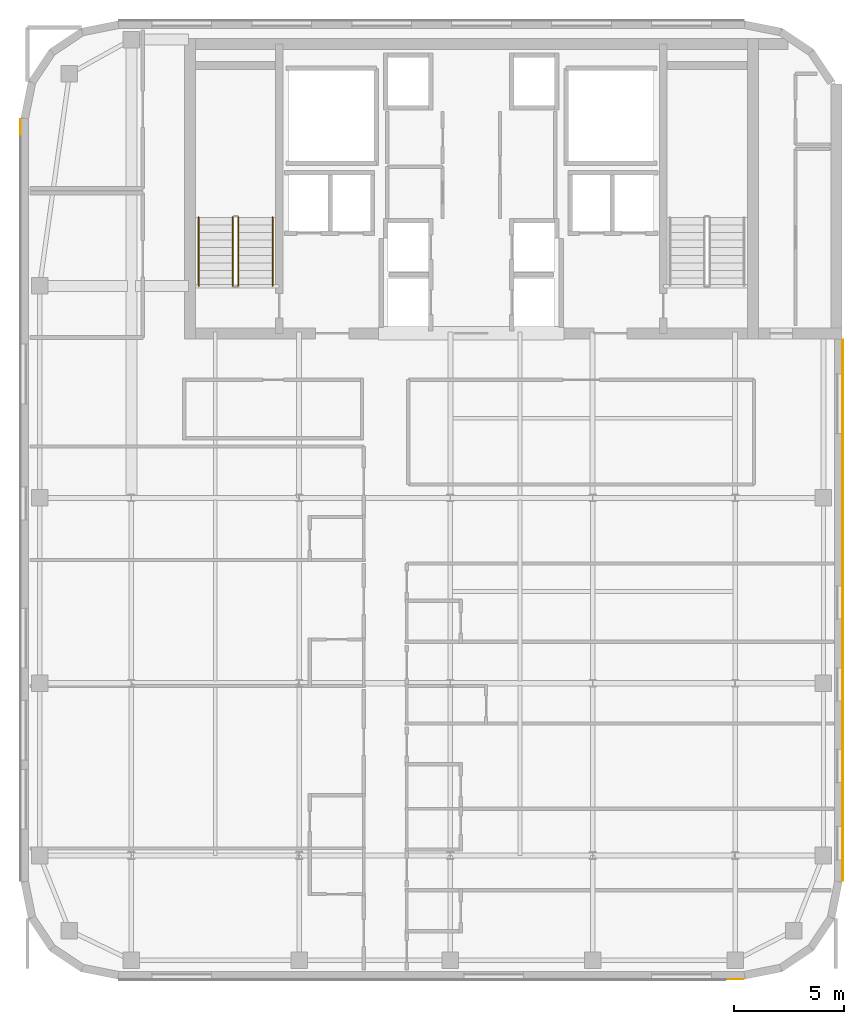
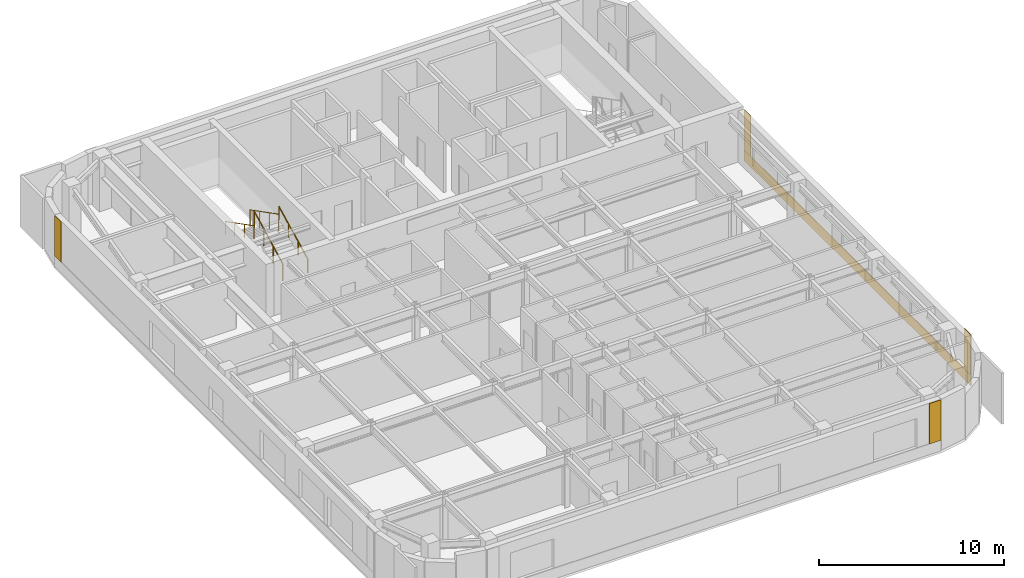
# One storey, part 11 of 12: 5 coverings, 4 railings.
"""IFC4 building model written with IfcOpenShell, lengths in metres."""

from ifc_helpers import new_model, si_unit, direction, frame, origin, origin_2d, place, context, subcontext, project, spatial, polyline, circle, outline, extrude, material, layer, layer_set, type_object, element, save


model = new_model("IFC4")

# Units and contexts
model_context = context("Model", 3, precision=1e-05, world=origin(), true_north=direction((0.0, 1.0)))
body_context = subcontext(model_context, "Body", "Model", "MODEL_VIEW")
ifc_project = project(units=[si_unit("LENGTHUNIT", "METRE"), si_unit("AREAUNIT", "SQUARE_METRE"), si_unit("VOLUMEUNIT", "CUBIC_METRE"), si_unit("PLANEANGLEUNIT", "RADIAN"), si_unit("MASSUNIT", "GRAM", prefix="KILO")], contexts=[model_context])

# Site, building, storey
site_placement = place(None, origin())
site = spatial("IfcSite", under=ifc_project, at=site_placement, CompositionType="ELEMENT")
building_placement = place(site_placement, origin())
building = spatial("IfcBuilding", under=site, at=building_placement, Name="Tolvann Quenvar Hotel", CompositionType="ELEMENT")
storey_placement = place(building_placement, frame((0.0, 0.0, 213.25)))
storey = spatial("IfcBuildingStorey", under=building, at=storey_placement, Name="L56", CompositionType="ELEMENT", Elevation=213.25)

# Coverings
ifc_material_1 = material(Name="Kiln-fired red architectural face brick cladding", Category="masonry")
ifc_layer_1 = layer(ifc_material_1, 0.0400390625)
ifc_layer_set_1 = layer_set([ifc_layer_1], Name="Kiln-fired red architectural face brick cladding")
covering_type_1 = type_object("IfcCoveringType", Name="COV_CLAD_BRICK_40", PredefinedType="CLADDING", material=ifc_layer_set_1)
covering_1_placement = place(storey_placement, frame((0.0, 0.0, 0.699951171875)))
element("IfcCovering", 1, at=covering_1_placement, inside=storey, type_object=covering_type_1, Name="Brick Pier Cladding (L56-E04-P2)", PredefinedType="CLADDING", context=body_context, shape_type="SweptSolid", body=[
    extrude(outline(polyline([(34.6328125, 2.60009765625), (35.332763671875, 2.60009765625), (35.332763671875, 2.56005859375), (34.6328125, 2.56005859375), (34.6328125, 2.60009765625)])), origin(), (0.0, 0.0, 1.0), 2.670166015625),
])
covering_2_placement = place(storey_placement, frame((0.0, 0.0, 0.699951171875)))
element("IfcCovering", 2, at=covering_2_placement, inside=storey, type_object=covering_type_1, Name="Brick Pier Cladding (L56-E09-P1)", PredefinedType="CLADDING", context=body_context, shape_type="SweptSolid", body=[
    extrude(outline(polyline([(39.800048828125, 7.067138671875), (39.800048828125, 7.76708984375), (39.840087890625, 7.76708984375), (39.840087890625, 7.067138671875), (39.800048828125, 7.067138671875)])), origin(), (0.0, 0.0, 1.0), 2.670166015625),
])
covering_3_placement = place(storey_placement, frame((0.0, 0.0, 0.699951171875)))
element("IfcCovering", 3, at=covering_3_placement, inside=storey, type_object=covering_type_1, Name="Brick Pier Cladding (L56-E09-P2)", PredefinedType="CLADDING", context=body_context, shape_type="SweptSolid", body=[
    extrude(outline(polyline([(39.800048828125, 30.845947265625), (39.800048828125, 31.5458984375), (39.840087890625, 31.5458984375), (39.840087890625, 30.845947265625), (39.800048828125, 30.845947265625)])), origin(), (0.0, 0.0, 1.0), 2.670166015625),
])
covering_4_placement = place(storey_placement, frame((0.0, 0.0, 0.699951171875)))
element("IfcCovering", 4, at=covering_4_placement, inside=storey, type_object=covering_type_1, Name="Brick Pier Cladding (L56-E19-P1)", PredefinedType="CLADDING", context=body_context, shape_type="SweptSolid", body=[
    extrude(outline(polyline([(2.60009765625, 41.53271484375), (2.60009765625, 40.832763671875), (2.56005859375, 40.832763671875), (2.56005859375, 41.53271484375), (2.60009765625, 41.53271484375)])), origin(), (0.0, 0.0, 1.0), 2.670166015625),
])
ifc_material_2 = material(Name="Moulded buff architectural terracotta spandrel cladding", Category="masonry")
ifc_layer_2 = layer(ifc_material_2, 0.0400390625)
ifc_layer_set_2 = layer_set([ifc_layer_2], Name="Moulded buff architectural terracotta spandrel cladding")
covering_type_2 = type_object("IfcCoveringType", Name="COV_CLAD_TERRA_40", PredefinedType="CLADDING", material=ifc_layer_set_2)
covering_5_placement = place(storey_placement, origin())
element("IfcCovering", 5, at=covering_5_placement, inside=storey, type_object=covering_type_2, Name="Terracotta Spandrel Cladding (L56-E09)", PredefinedType="CLADDING", context=body_context, shape_type="SweptSolid", body=[
    extrude(outline(polyline([(39.800048828125, 7.05712890625), (39.800048828125, 31.555908203125), (39.840087890625, 31.555908203125), (39.840087890625, 7.05712890625), (39.800048828125, 7.05712890625)])), origin(), (0.0, 0.0, 1.0), 0.699951171875),
])

# Railings
ifc_material_3 = material(Name="Brushed 316 stainless steel balustrade and handrail", Category="steel")
railing_type_1 = type_object("IfcRailingType", Name="GUARDRAIL", PredefinedType="GUARDRAIL", material=ifc_material_3)
railing_1_placement = place(storey_placement, frame((12.449951171875, 34.0, 0.177490234375)))
element("IfcRailing", 6, at=railing_1_placement, inside=storey, type_object=railing_type_1, Name="L56 ST-C1 stair guard 1", PredefinedType="GUARDRAIL", context=body_context, shape_type="SweptSolid", body=[
    extrude(circle(Radius=0.02392578125, at=origin_2d()), frame((0.0, 0.0, 1.09619140625), z_axis=(0.0, 0.889221982265, 0.45747597342), x_axis=(-1.0, 0.0, 0.0)), (0.0, 0.0, 1.0), 3.49169921875),
    extrude(circle(Radius=0.02099609375, at=origin_2d()), origin(), (0.0, 0.0, 1.0), 1.072021484375),
    extrude(circle(Radius=0.02099609375, at=origin_2d()), frame((0.0, 1.034912109375, 0.532470703125)), (0.0, 0.0, 1.0), 1.072021484375),
    extrude(circle(Radius=0.02099609375, at=origin_2d()), frame((0.0, 2.070068359375, 1.06494140625)), (0.0, 0.0, 1.0), 1.072021484375),
    extrude(circle(Radius=0.02099609375, at=origin_2d()), frame((0.0, 3.10498046875, 1.597412109375)), (0.0, 0.0, 1.0), 1.072021484375),
])
railing_2_placement = place(storey_placement, frame((12.199951171875, 37.10498046875, 1.952392578125)))
element("IfcRailing", 7, at=railing_2_placement, inside=storey, type_object=railing_type_1, Name="L56 ST-C1 stair guard 3", PredefinedType="GUARDRAIL", context=body_context, shape_type="SweptSolid", body=[
    extrude(circle(Radius=0.02392578125, at=origin_2d()), frame((0.0, 0.0, 1.09619140625), z_axis=(0.0, -0.88919353882, 0.457531256332), x_axis=(1.0, 0.0, 0.0)), (0.0, 0.0, 1.0), 3.491943359375),
    extrude(circle(Radius=0.02099609375, at=origin_2d()), origin(), (0.0, 0.0, 1.0), 1.072021484375),
    extrude(circle(Radius=0.02099609375, at=origin_2d()), frame((0.0, -1.034912109375, 0.532470703125)), (0.0, 0.0, 1.0), 1.072021484375),
    extrude(circle(Radius=0.02099609375, at=origin_2d()), frame((0.0, -2.070068359375, 1.065185546875)), (0.0, 0.0, 1.0), 1.072021484375),
    extrude(circle(Radius=0.02099609375, at=origin_2d()), frame((0.0, -3.10498046875, 1.59765625)), (0.0, 0.0, 1.0), 1.072021484375),
])
railing_type_2 = type_object("IfcRailingType", Name="HANDRAIL", PredefinedType="HANDRAIL", material=ifc_material_3)
railing_3_placement = place(storey_placement, frame((14.0, 34.0, 0.177490234375)))
element("IfcRailing", 8, at=railing_3_placement, inside=storey, type_object=railing_type_2, Name="L56 ST-C1 stair handrail 1", PredefinedType="HANDRAIL", context=body_context, shape_type="SweptSolid", body=[
    extrude(circle(Radius=0.02392578125, at=origin_2d()), frame((0.0, 0.0, 0.8759765625), z_axis=(0.0, 0.889221982265, 0.45747597342), x_axis=(-1.0, 0.0, 0.0)), (0.0, 0.0, 1.0), 3.49169921875),
    extrude(circle(Radius=0.02099609375, at=origin_2d()), origin(), (0.0, 0.0, 1.0), 0.851806640625),
    extrude(circle(Radius=0.02099609375, at=origin_2d()), frame((0.0, 1.034912109375, 0.532470703125)), (0.0, 0.0, 1.0), 0.851806640625),
    extrude(circle(Radius=0.02099609375, at=origin_2d()), frame((0.0, 2.070068359375, 1.06494140625)), (0.0, 0.0, 1.0), 0.851806640625),
    extrude(circle(Radius=0.02099609375, at=origin_2d()), frame((0.0, 3.10498046875, 1.597412109375)), (0.0, 0.0, 1.0), 0.851806640625),
])
railing_4_placement = place(storey_placement, frame((10.64990234375, 37.10498046875, 1.952392578125)))
element("IfcRailing", 9, at=railing_4_placement, inside=storey, type_object=railing_type_2, Name="L56 ST-C1 stair handrail 2", PredefinedType="HANDRAIL", context=body_context, shape_type="SweptSolid", body=[
    extrude(circle(Radius=0.02392578125, at=origin_2d()), frame((0.0, 0.0, 0.8759765625), z_axis=(0.0, -0.88919353882, 0.457531256332), x_axis=(1.0, 0.0, 0.0)), (0.0, 0.0, 1.0), 3.491943359375),
    extrude(circle(Radius=0.02099609375, at=origin_2d()), origin(), (0.0, 0.0, 1.0), 0.851806640625),
    extrude(circle(Radius=0.02099609375, at=origin_2d()), frame((0.0, -1.034912109375, 0.532470703125)), (0.0, 0.0, 1.0), 0.851806640625),
    extrude(circle(Radius=0.02099609375, at=origin_2d()), frame((0.0, -2.070068359375, 1.065185546875)), (0.0, 0.0, 1.0), 0.851806640625),
    extrude(circle(Radius=0.02099609375, at=origin_2d()), frame((0.0, -3.10498046875, 1.59765625)), (0.0, 0.0, 1.0), 0.851806640625),
])

save(model, "model.ifc")
